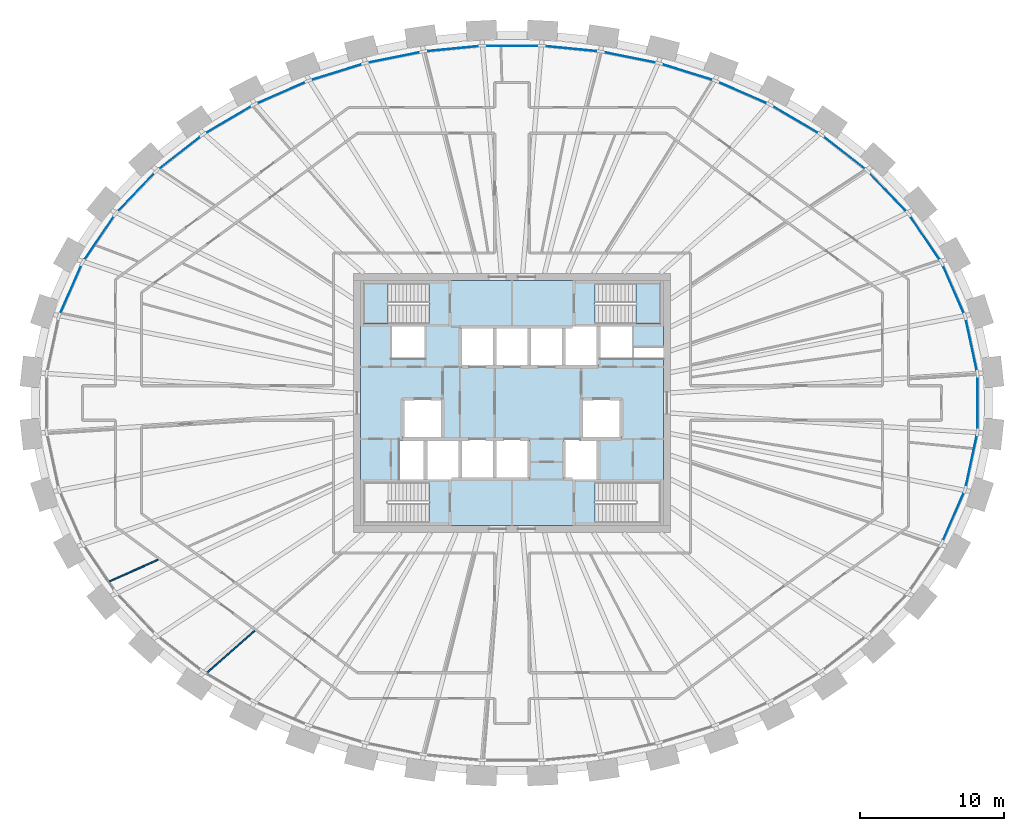
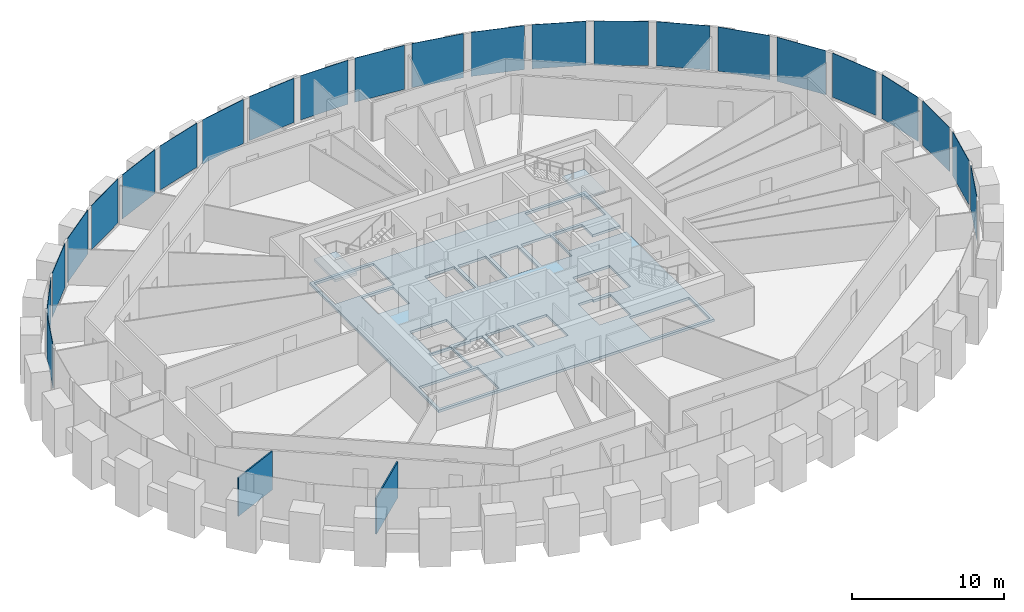
# One storey, part 5 of 12: 23 plates, 3 slabs, 2 walls, 3 elements without a shape of their own.
"""IFC4 building model written with IfcOpenShell, lengths in metres."""

from ifc_helpers import new_model, si_unit, direction, frame, frame_2d, origin, origin_2d, place, context, subcontext, project, spatial, polyline, rectangle, outline, extrude, source, transform, mapped, material, layer, layer_set, type_object, element, aggregate, save


model = new_model("IFC4")

# Units and contexts
model_context = context("Model", 3, precision=1e-05, world=origin(), true_north=direction((0.0, 1.0)))
body_context = subcontext(model_context, "Body", "Model", "MODEL_VIEW")
ifc_project = project(units=[si_unit("LENGTHUNIT", "METRE"), si_unit("AREAUNIT", "SQUARE_METRE"), si_unit("VOLUMEUNIT", "CUBIC_METRE"), si_unit("PLANEANGLEUNIT", "RADIAN"), si_unit("MASSUNIT", "GRAM", prefix="KILO")], contexts=[model_context])

# Site, building, storey
site_placement = place(None, origin())
site = spatial("IfcSite", under=ifc_project, at=site_placement, CompositionType="ELEMENT")
building_placement = place(site_placement, origin())
building = spatial("IfcBuilding", under=site, at=building_placement, Name="Embergate Tower", CompositionType="ELEMENT")
storey_placement = place(building_placement, frame((0.0, 0.0, 246.10009765625)))
storey = spatial("IfcBuildingStorey", under=building, at=storey_placement, Name="L56", CompositionType="ELEMENT", Elevation=246.10009765625)

# Curtain wall, plates
ifc_material_1 = material(Name="Aluminium and glass", Category="aluminium")
curtain_wall_type = type_object("IfcCurtainWallType", Name="Recessed office glazing", PredefinedType="NOTDEFINED", material=ifc_material_1)
curtain_wall_placement = place(storey_placement, origin())
curtain_wall = element("IfcCurtainWall", 1, at=curtain_wall_placement, inside=storey, type_object=curtain_wall_type, Name="Recessed office glazing ring", ObjectType="RECESSED OFFICE GLAZING", PredefinedType="USERDEFINED")
ifc_material_2 = material(Name="Triple glazing, low-emissivity coating", Category="glass")
ifc_layer_1 = layer(ifc_material_2, 0.035888671875)
ifc_layer_set_1 = layer_set([ifc_layer_1], Name="Triple glazing, low-emissivity coating")
plate_type = type_object("IfcPlateType", Name="Office glazing unit", PredefinedType="CURTAIN_PANEL", material=ifc_layer_set_1)
shared_shape_1 = source(origin(), body_context, "Body", "SweptSolid", [
    extrude(rectangle(XDim=3.552978515625, YDim=0.035888671875, at=origin_2d()), origin(), (0.0, 0.0, 1.0), 3.550048828125),
])
plate_1_placement = place(storey_placement, frame((31.87646484375, 4.026123046875, 0.14990234375), z_axis=(0.0, 0.0, 1.0), x_axis=(-0.210398391177, 0.97761573074, 0.0)))
plate_1 = element("IfcPlate", 2, at=plate_1_placement, type_object=plate_type, Name="CW panel 1.1", PredefinedType="CURTAIN_PANEL", context=body_context, shape_type="MappedRepresentation", body=[
    mapped(shared_shape_1, transform((0.0, 0.0, 0.0))),
])
plate_2_placement = place(storey_placement, frame((31.87646484375, -4.026123046875, 0.14990234375), z_axis=(0.0, 0.0, 1.0), x_axis=(0.210398391177, 0.97761573074, 0.0)))
plate_2 = element("IfcPlate", 3, at=plate_2_placement, type_object=plate_type, Name="CW panel 43.1", PredefinedType="CURTAIN_PANEL", context=body_context, shape_type="MappedRepresentation", body=[
    mapped(shared_shape_1, transform((0.0, 0.0, 0.0))),
])
shared_shape_2 = source(origin(), body_context, "Body", "SweptSolid", [
    extrude(rectangle(XDim=3.559814453125, YDim=0.035888671875, at=origin_2d()), origin(), (0.0, 0.0, 1.0), 3.550048828125),
])
plate_3_placement = place(storey_placement, frame((30.628662109375, 7.885009765625, 0.14990234375), z_axis=(0.0, 0.0, 1.0), x_axis=(-0.401652101157, 0.91579232888, 0.0)))
plate_3 = element("IfcPlate", 4, at=plate_3_placement, type_object=plate_type, Name="CW panel 2.1", PredefinedType="CURTAIN_PANEL", context=body_context, shape_type="MappedRepresentation", body=[
    mapped(shared_shape_2, transform((0.0, 0.0, 0.0))),
])
plate_4_placement = place(storey_placement, frame((-30.628662109375, 7.885009765625, 0.14990234375), z_axis=(0.0, 0.0, 1.0), x_axis=(-0.401652101157, -0.91579232888, 0.0)))
plate_4 = element("IfcPlate", 5, at=plate_4_placement, type_object=plate_type, Name="CW panel 20.1", PredefinedType="CURTAIN_PANEL", context=body_context, shape_type="MappedRepresentation", body=[
    mapped(shared_shape_2, transform((0.0, 0.0, 0.0))),
])
plate_5_placement = place(storey_placement, frame((30.628662109375, -7.885009765625, 0.14990234375), z_axis=(0.0, 0.0, 1.0), x_axis=(0.401652101157, 0.91579232888, 0.0)))
plate_5 = element("IfcPlate", 6, at=plate_5_placement, type_object=plate_type, Name="CW panel 42.1", PredefinedType="CURTAIN_PANEL", context=body_context, shape_type="MappedRepresentation", body=[
    mapped(shared_shape_2, transform((0.0, 0.0, 0.0))),
])
shared_shape_3 = source(origin(), body_context, "Body", "SweptSolid", [
    extrude(rectangle(XDim=3.568603515625, YDim=0.035888671875, at=origin_2d()), origin(), (0.0, 0.0, 1.0), 3.550048828125),
])
plate_6_placement = place(storey_placement, frame((28.659912109375, 11.443603515625, 0.14990234375), z_axis=(0.0, 0.0, 1.0), x_axis=(-0.562341741915, 0.826904931234, 0.0)))
plate_6 = element("IfcPlate", 7, at=plate_6_placement, type_object=plate_type, Name="CW panel 3.1", PredefinedType="CURTAIN_PANEL", context=body_context, shape_type="MappedRepresentation", body=[
    mapped(shared_shape_3, transform((0.0, 0.0, 0.0))),
])
plate_7_placement = place(storey_placement, frame((-28.659912109375, 11.443603515625, 0.14990234375), z_axis=(0.0, 0.0, 1.0), x_axis=(-0.562341741915, -0.826904931234, 0.0)))
plate_7 = element("IfcPlate", 8, at=plate_7_placement, type_object=plate_type, Name="CW panel 19.1", PredefinedType="CURTAIN_PANEL", context=body_context, shape_type="MappedRepresentation", body=[
    mapped(shared_shape_3, transform((0.0, 0.0, 0.0))),
])
shared_shape_4 = source(origin(), body_context, "Body", "SweptSolid", [
    extrude(rectangle(XDim=3.576904296875, YDim=0.035888671875, at=origin_2d()), origin(), (0.0, 0.0, 1.0), 3.550048828125),
])
plate_8_placement = place(storey_placement, frame((26.096435546875, 14.616455078125, 0.14990234375), z_axis=(0.0, 0.0, 1.0), x_axis=(-0.690133784465, 0.723681808215, 0.0)))
plate_8 = element("IfcPlate", 9, at=plate_8_placement, type_object=plate_type, Name="CW panel 4.1", PredefinedType="CURTAIN_PANEL", context=body_context, shape_type="MappedRepresentation", body=[
    mapped(shared_shape_4, transform((0.0, 0.0, 0.0))),
])
plate_9_placement = place(storey_placement, frame((-26.096435546875, 14.616455078125, 0.14990234375), z_axis=(0.0, 0.0, 1.0), x_axis=(-0.690133784465, -0.723681808215, 0.0)))
plate_9 = element("IfcPlate", 10, at=plate_9_placement, type_object=plate_type, Name="CW panel 18.1", PredefinedType="CURTAIN_PANEL", context=body_context, shape_type="MappedRepresentation", body=[
    mapped(shared_shape_4, transform((0.0, 0.0, 0.0))),
])
shared_shape_5 = source(origin(), body_context, "Body", "SweptSolid", [
    extrude(rectangle(XDim=3.584228515625, YDim=0.035888671875, at=origin_2d()), origin(), (0.0, 0.0, 1.0), 3.550048828125),
])
plate_10_placement = place(storey_placement, frame((23.06494140625, 17.361572265625, 0.14990234375), z_axis=(0.0, 0.0, 1.0), x_axis=(-0.788319045413, 0.615266676035, 0.0)))
plate_10 = element("IfcPlate", 11, at=plate_10_placement, type_object=plate_type, Name="CW panel 5.1", PredefinedType="CURTAIN_PANEL", context=body_context, shape_type="MappedRepresentation", body=[
    mapped(shared_shape_5, transform((0.0, 0.0, 0.0))),
])
plate_11_placement = place(storey_placement, frame((-23.06494140625, 17.361572265625, 0.14990234375), z_axis=(0.0, 0.0, 1.0), x_axis=(-0.788319045413, -0.615266676035, 0.0)))
plate_11 = element("IfcPlate", 12, at=plate_11_placement, type_object=plate_type, Name="CW panel 17.1", PredefinedType="CURTAIN_PANEL", context=body_context, shape_type="MappedRepresentation", body=[
    mapped(shared_shape_5, transform((0.0, 0.0, 0.0))),
])
shared_shape_6 = source(origin(), body_context, "Body", "SweptSolid", [
    extrude(rectangle(XDim=3.590087890625, YDim=0.035888671875, at=origin_2d()), origin(), (0.0, 0.0, 1.0), 3.550048828125),
])
plate_12_placement = place(storey_placement, frame((19.675537109375, 19.665771484375, 0.14990234375), z_axis=(0.0, 0.0, 1.0), x_axis=(-0.862051398678, 0.50682086188, 0.0)))
plate_12 = element("IfcPlate", 13, at=plate_12_placement, type_object=plate_type, Name="CW panel 6.1", PredefinedType="CURTAIN_PANEL", context=body_context, shape_type="MappedRepresentation", body=[
    mapped(shared_shape_6, transform((0.0, 0.0, 0.0))),
])
plate_13_placement = place(storey_placement, frame((-19.675537109375, 19.665771484375, 0.14990234375), z_axis=(0.0, 0.0, 1.0), x_axis=(-0.862051398678, -0.50682086188, 0.0)))
plate_13 = element("IfcPlate", 14, at=plate_13_placement, type_object=plate_type, Name="CW panel 16.1", PredefinedType="CURTAIN_PANEL", context=body_context, shape_type="MappedRepresentation", body=[
    mapped(shared_shape_6, transform((0.0, 0.0, 0.0))),
])
shared_shape_7 = source(origin(), body_context, "Body", "SweptSolid", [
    extrude(rectangle(XDim=3.5947265625, YDim=0.035888671875, at=origin_2d()), origin(), (0.0, 0.0, 1.0), 3.550048828125),
])
plate_14_placement = place(storey_placement, frame((16.01904296875, 21.531494140625, 0.14990234375), z_axis=(0.0, 0.0, 1.0), x_axis=(-0.916234813243, 0.400641694037, 0.0)))
plate_14 = element("IfcPlate", 15, at=plate_14_placement, type_object=plate_type, Name="CW panel 7.1", PredefinedType="CURTAIN_PANEL", context=body_context, shape_type="MappedRepresentation", body=[
    mapped(shared_shape_7, transform((0.0, 0.0, 0.0))),
])
plate_15_placement = place(storey_placement, frame((-16.01904296875, 21.531494140625, 0.14990234375), z_axis=(0.0, 0.0, 1.0), x_axis=(-0.916234813243, -0.400641694037, 0.0)))
plate_15 = element("IfcPlate", 16, at=plate_15_placement, type_object=plate_type, Name="CW panel 15.1", PredefinedType="CURTAIN_PANEL", context=body_context, shape_type="MappedRepresentation", body=[
    mapped(shared_shape_7, transform((0.0, 0.0, 0.0))),
])
shared_shape_8 = source(origin(), body_context, "Body", "SweptSolid", [
    extrude(rectangle(XDim=3.597900390625, YDim=0.035888671875, at=origin_2d()), origin(), (0.0, 0.0, 1.0), 3.550048828125),
])
plate_16_placement = place(storey_placement, frame((12.168212890625, 22.968017578125, 0.14990234375), z_axis=(0.0, 0.0, 1.0), x_axis=(-0.954771179262, 0.297341546458, 0.0)))
plate_16 = element("IfcPlate", 17, at=plate_16_placement, type_object=plate_type, Name="CW panel 8.1", PredefinedType="CURTAIN_PANEL", context=body_context, shape_type="MappedRepresentation", body=[
    mapped(shared_shape_8, transform((0.0, 0.0, 0.0))),
])
plate_17_placement = place(storey_placement, frame((-12.168212890625, 22.968017578125, 0.14990234375), z_axis=(0.0, 0.0, 1.0), x_axis=(-0.954771179262, -0.297341546458, 0.0)))
plate_17 = element("IfcPlate", 18, at=plate_17_placement, type_object=plate_type, Name="CW panel 14.1", PredefinedType="CURTAIN_PANEL", context=body_context, shape_type="MappedRepresentation", body=[
    mapped(shared_shape_8, transform((0.0, 0.0, 0.0))),
])
shared_shape_9 = source(origin(), body_context, "Body", "SweptSolid", [
    extrude(rectangle(XDim=3.60009765625, YDim=0.035888671875, at=origin_2d()), origin(), (0.0, 0.0, 1.0), 3.550048828125),
])
plate_18_placement = place(storey_placement, frame((8.182373046875, 23.9853515625, 0.14990234375), z_axis=(0.0, 0.0, 1.0), x_axis=(-0.980475564207, 0.196640962142, 0.0)))
plate_18 = element("IfcPlate", 19, at=plate_18_placement, type_object=plate_type, Name="CW panel 9.1", PredefinedType="CURTAIN_PANEL", context=body_context, shape_type="MappedRepresentation", body=[
    mapped(shared_shape_9, transform((0.0, 0.0, 0.0))),
])
plate_19_placement = place(storey_placement, frame((-8.182373046875, 23.9853515625, 0.14990234375), z_axis=(0.0, 0.0, 1.0), x_axis=(-0.980475564207, -0.196640962142, 0.0)))
plate_19 = element("IfcPlate", 20, at=plate_19_placement, type_object=plate_type, Name="CW panel 13.1", PredefinedType="CURTAIN_PANEL", context=body_context, shape_type="MappedRepresentation", body=[
    mapped(shared_shape_9, transform((0.0, 0.0, 0.0))),
])
shared_shape_10 = source(origin(), body_context, "Body", "SweptSolid", [
    extrude(rectangle(XDim=3.601318359375, YDim=0.035888671875, at=origin_2d()), origin(), (0.0, 0.0, 1.0), 3.550048828125),
])
plate_20_placement = place(storey_placement, frame((4.11181640625, 24.592041015625, 0.14990234375), z_axis=(0.0, 0.0, 1.0), x_axis=(-0.995203184788, 0.097829550688, 0.0)))
plate_20 = element("IfcPlate", 21, at=plate_20_placement, type_object=plate_type, Name="CW panel 10.1", PredefinedType="CURTAIN_PANEL", context=body_context, shape_type="MappedRepresentation", body=[
    mapped(shared_shape_10, transform((0.0, 0.0, 0.0))),
])
plate_21_placement = place(storey_placement, frame((-4.11181640625, 24.592041015625, 0.14990234375), z_axis=(0.0, 0.0, 1.0), x_axis=(-0.995203184788, -0.097829550688, 0.0)))
plate_21 = element("IfcPlate", 22, at=plate_21_placement, type_object=plate_type, Name="CW panel 12.1", PredefinedType="CURTAIN_PANEL", context=body_context, shape_type="MappedRepresentation", body=[
    mapped(shared_shape_10, transform((0.0, 0.0, 0.0))),
])
shared_shape_11 = source(origin(), body_context, "Body", "SweptSolid", [
    extrude(rectangle(XDim=3.601806640625, YDim=0.035888671875, at=origin_2d()), origin(), (0.0, 0.0, 1.0), 3.550048828125),
])
plate_22_placement = place(storey_placement, frame((0.0, 24.793701171875, 0.14990234375), z_axis=(0.0, 0.0, 1.0), x_axis=(-1.0, 0.0, 0.0)))
plate_22 = element("IfcPlate", 23, at=plate_22_placement, type_object=plate_type, Name="CW panel 11.1", PredefinedType="CURTAIN_PANEL", context=body_context, shape_type="MappedRepresentation", body=[
    mapped(shared_shape_11, transform((0.0, 0.0, 0.0))),
])
shared_shape_12 = source(origin(), body_context, "Body", "SweptSolid", [
    extrude(rectangle(XDim=3.55029296875, YDim=0.035888671875, at=origin_2d()), origin(), (0.0, 0.0, 1.0), 3.550048828125),
])
plate_23_placement = place(storey_placement, frame((32.304931640625, 0.0, 0.14990234375), z_axis=(0.0, 0.0, 1.0), x_axis=(0.0, 1.0, 0.0)))
plate_23 = element("IfcPlate", 24, at=plate_23_placement, type_object=plate_type, Name="CW panel 44.1", PredefinedType="CURTAIN_PANEL", context=body_context, shape_type="MappedRepresentation", body=[
    mapped(shared_shape_12, transform((0.0, 0.0, 0.0))),
])
aggregate(curtain_wall, [plate_1, plate_3, plate_6, plate_8, plate_10, plate_12, plate_14, plate_16, plate_18, plate_20, plate_22, plate_21, plate_19, plate_17, plate_15, plate_13, plate_11, plate_9, plate_7, plate_4, plate_5, plate_2, plate_23])

# Stair, slab
ifc_material_3 = material(Name="Exit stair")
stair_type = type_object("IfcStairType", Name="Exit stair", PredefinedType="HALF_TURN_STAIR", material=ifc_material_3)
stair_1_placement = place(storey_placement, origin())
stair_1 = element("IfcStair", 25, at=stair_1_placement, inside=storey, type_object=stair_type, Name="L56 Exit stair 1", PredefinedType="HALF_TURN_STAIR")
ifc_material_4 = material(Name="Concrete C40", Category="concrete")
ifc_layer_2 = layer(ifc_material_4, 0.199951171875)
ifc_layer_set_2 = layer_set([ifc_layer_2], Name="Concrete C40")
slab_type_1 = type_object("IfcSlabType", Name="Stair landing reinforced concrete", PredefinedType="LANDING", material=ifc_layer_set_2)
shared_shape_13 = source(origin(), body_context, "Body", "SweptSolid", [
    extrude(outline(polyline([(0.0, 0.0), (1.68994140625, 0.0), (1.68994140625, 2.800048828125), (0.0, 2.800048828125), (0.0, 0.0)])), origin(), (0.0, 0.0, 1.0), 0.199951171875),
])
slab_1_placement = place(storey_placement, frame((-10.300048828125, 5.5, 1.75)))
slab_1 = element("IfcSlab", 26, at=slab_1_placement, type_object=slab_type_1, Name="ST1 landing 1", PredefinedType="LANDING", context=body_context, shape_type="MappedRepresentation", body=[
    mapped(shared_shape_13, transform((0.0, 0.0, 0.0))),
])
aggregate(stair_1, [slab_1])

stair_2_placement = place(storey_placement, origin())
stair_2 = element("IfcStair", 27, at=stair_2_placement, inside=storey, type_object=stair_type, Name="L56 Exit stair 2", PredefinedType="HALF_TURN_STAIR")
slab_2_placement = place(storey_placement, frame((8.610107421875, 5.5, 1.75)))
slab_2 = element("IfcSlab", 28, at=slab_2_placement, type_object=slab_type_1, Name="ST2 landing 1", PredefinedType="LANDING", context=body_context, shape_type="MappedRepresentation", body=[
    mapped(shared_shape_13, transform((0.0, 0.0, 0.0))),
])
aggregate(stair_2, [slab_2])

# Slab
ifc_layer_3 = layer(ifc_material_4, 0.199951171875)
ifc_layer_set_3 = layer_set([ifc_layer_3], Name="Concrete C40")
slab_type_2 = type_object("IfcSlabType", Name="Core floor slab 200 reinforced concrete", PredefinedType="FLOOR", material=ifc_layer_set_3)
shared_shape_14 = source(origin(), body_context, "Body", "SweptSolid", [
    extrude(outline(polyline([(0.0, 0.0), (21.0, 0.0), (21.0, 11.60009765625), (18.89990234375, 11.60009765625), (16.625, 11.60009765625), (16.625, 13.800048828125), (18.89990234375, 13.800048828125), (18.89990234375, 12.39990234375), (21.0, 12.39990234375), (21.0, 17.0), (0.0, 17.0), (0.0, 0.0)]), holes=[polyline([(0.199951171875, 0.199951171875), (0.199951171875, 3.0), (4.739990234375, 3.0), (4.739990234375, 0.199951171875), (0.199951171875, 0.199951171875)]), polyline([(16.260009765625, 0.199951171875), (16.260009765625, 3.0), (20.800048828125, 3.0), (20.800048828125, 0.199951171875), (16.260009765625, 0.199951171875)]), polyline([(2.699951171875, 3.199951171875), (2.699951171875, 6.0), (2.77490234375, 6.0), (2.77490234375, 5.875), (4.375, 5.875), (4.375, 3.199951171875), (2.699951171875, 3.199951171875)]), polyline([(4.5, 3.199951171875), (4.5, 5.875), (5.824951171875, 5.875), (5.824951171875, 6.0), (6.77490234375, 6.0), (6.77490234375, 3.199951171875), (4.5, 3.199951171875)]), polyline([(7.02490234375, 3.199951171875), (7.02490234375, 6.0), (9.175048828125, 6.0), (9.175048828125, 3.199951171875), (7.02490234375, 3.199951171875)]), polyline([(9.425048828125, 3.199951171875), (9.425048828125, 6.0), (11.699951171875, 6.0), (11.699951171875, 3.199951171875), (9.425048828125, 3.199951171875)]), polyline([(14.10009765625, 3.199951171875), (14.10009765625, 6.0), (15.175048828125, 6.0), (15.175048828125, 5.875), (16.5, 5.875), (16.5, 3.199951171875), (14.10009765625, 3.199951171875)]), polyline([(2.89990234375, 6.0), (2.89990234375, 8.800048828125), (5.699951171875, 8.800048828125), (5.699951171875, 6.125), (4.375, 6.125), (4.375, 6.0), (2.89990234375, 6.0)]), polyline([(16.625, 6.0), (16.625, 6.125), (15.300048828125, 6.125), (15.300048828125, 8.800048828125), (18.10009765625, 8.800048828125), (18.10009765625, 6.0), (16.625, 6.0)]), polyline([(6.89990234375, 11.0), (6.89990234375, 13.800048828125), (9.175048828125, 13.800048828125), (9.175048828125, 11.0), (6.89990234375, 11.0)]), polyline([(9.425048828125, 11.0), (9.425048828125, 13.800048828125), (11.574951171875, 13.800048828125), (11.574951171875, 11.0), (9.425048828125, 11.0)]), polyline([(11.824951171875, 11.0), (11.824951171875, 13.800048828125), (13.97509765625, 13.800048828125), (13.97509765625, 11.0), (11.824951171875, 11.0)]), polyline([(14.22509765625, 11.0), (14.22509765625, 13.800048828125), (16.5, 13.800048828125), (16.5, 11.0), (14.22509765625, 11.0)]), polyline([(2.10009765625, 11.60009765625), (2.10009765625, 13.800048828125), (4.5, 13.800048828125), (4.5, 11.60009765625), (2.10009765625, 11.60009765625)]), polyline([(0.199951171875, 14.0), (0.199951171875, 16.800048828125), (4.739990234375, 16.800048828125), (4.739990234375, 14.0), (0.199951171875, 14.0)]), polyline([(16.260009765625, 14.0), (16.260009765625, 16.800048828125), (20.800048828125, 16.800048828125), (20.800048828125, 14.0), (16.260009765625, 14.0)])]), origin(), (0.0, 0.0, 1.0), 0.2001953125),
])
slab_3_placement = place(storey_placement, frame((-10.5, -8.5, -0.2001953125)))
element("IfcSlab", 29, at=slab_3_placement, inside=storey, type_object=slab_type_2, Name="Core floor slab", PredefinedType="FLOOR", context=body_context, shape_type="MappedRepresentation", body=[
    mapped(shared_shape_14, transform((0.0, 0.0, 0.0))),
])

# Walls
ifc_material_5 = material(Name="Partition dry-lined 100")
ifc_layer_4 = layer(ifc_material_5, 0.10009765625)
ifc_layer_set_4 = layer_set([ifc_layer_4], Name="Partition dry-lined 100")
wall_type = type_object("IfcWallType", Name="Partition dry-lined 100", PredefinedType="PARTITIONING", material=ifc_layer_set_4)
shared_shape_15 = source(origin(), body_context, "Body", "SweptSolid", [
    extrude(rectangle(XDim=3.80859375, YDim=0.10009765625, at=frame_2d((1.904296875, 0.0))), origin(), (0.0, 0.0, 1.0), 3.099853515625),
])
wall_1_placement = place(storey_placement, frame((-24.56103515625, -10.8798828125, 0.0), z_axis=(0.0, 0.0, 1.0), x_axis=(-0.914231360912, -0.405192569929, 0.0)))
element("IfcWall", 30, at=wall_1_placement, inside=storey, type_object=wall_type, Name="IP-1 wall", PredefinedType="PARTITIONING", context=body_context, shape_type="MappedRepresentation", body=[
    mapped(shared_shape_15, transform((0.0, 0.0, 0.0))),
])
shared_shape_16 = source(origin(), body_context, "Body", "SweptSolid", [
    extrude(rectangle(XDim=4.472412109375, YDim=0.10009765625, at=frame_2d((2.236328125, 0.0))), origin(), (0.0, 0.0, 1.0), 2.89990234375),
])
wall_2_placement = place(storey_placement, frame((-17.85888671875, -15.802978515625, 0.0), z_axis=(0.0, 0.0, 1.0), x_axis=(-0.748838167945, -0.662752893791, 0.0)))
element("IfcWall", 31, at=wall_2_placement, inside=storey, type_object=wall_type, Name="IP-1 wall", PredefinedType="PARTITIONING", context=body_context, shape_type="MappedRepresentation", body=[
    mapped(shared_shape_16, transform((0.0, 0.0, 0.0))),
])

save(model, "model.ifc")
